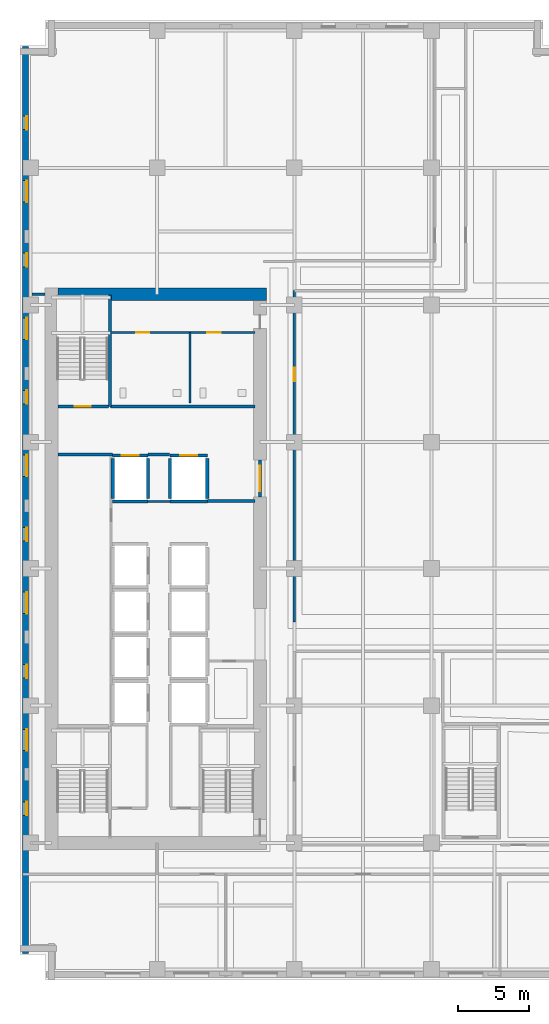
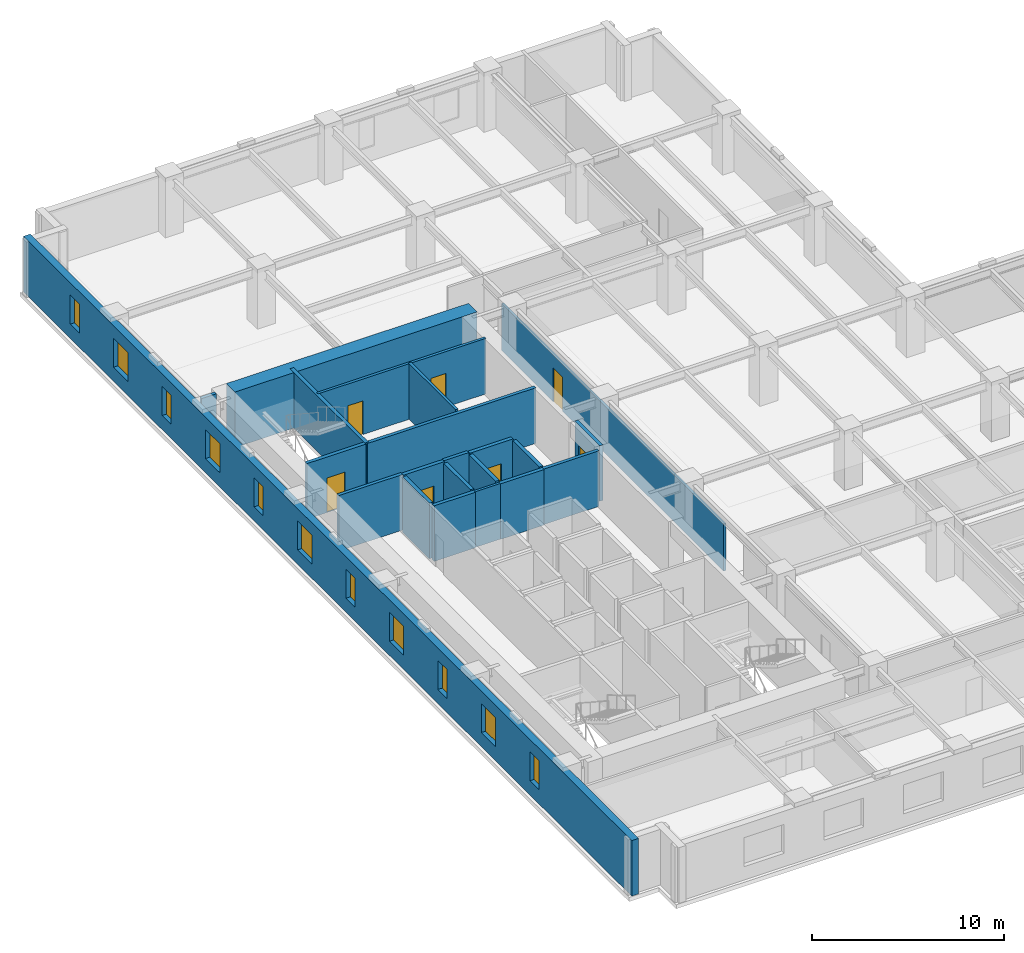
# One storey, part 6 of 13: 22 walls, 11 windows, 7 doors, 18 openings.
"""IFC4 building model written with IfcOpenShell, lengths in metres."""

from ifc_helpers import new_model, si_unit, direction, frame, frame_2d, origin, place, context, subcontext, project, spatial, rectangle, extrude, material, layer, layer_set, type_object, element, fill, save


model = new_model("IFC4")

# Units and contexts
model_context = context("Model", 3, precision=1e-05, world=origin(), true_north=direction((0.0, 1.0)))
body_context = subcontext(model_context, "Body", "Model", "MODEL_VIEW")
ifc_project = project(units=[si_unit("LENGTHUNIT", "METRE"), si_unit("AREAUNIT", "SQUARE_METRE"), si_unit("VOLUMEUNIT", "CUBIC_METRE"), si_unit("PLANEANGLEUNIT", "RADIAN"), si_unit("MASSUNIT", "GRAM", prefix="KILO")], contexts=[model_context])

# Site, building, storey
site_placement = place(None, origin())
site = spatial("IfcSite", under=ifc_project, at=site_placement, CompositionType="ELEMENT")
building_placement = place(site_placement, origin())
building = spatial("IfcBuilding", under=site, at=building_placement, Name="Norrvale University Quadrangle", CompositionType="ELEMENT")
storey_placement = place(building_placement, frame((0.0, 0.0, 77.39990234375)))
storey = spatial("IfcBuildingStorey", under=building, at=storey_placement, Name="L19", CompositionType="ELEMENT", Elevation=77.39990234375)

# Wall, openings, windows
ifc_material_1 = material(Name="Buff Norman Clay Brick Masonry", Category="masonry")
ifc_layer_1 = layer(ifc_material_1, 0.419921875, Name="Buff Norman Clay Brick Masonry")
ifc_layer_set_1 = layer_set([ifc_layer_1], Name="Buff Norman Clay Brick Masonry")
wall_type_1 = type_object("IfcWallType", Name="Wall Buff Brick 420", PredefinedType="SOLIDWALL", material=ifc_layer_set_1)
wall_1_placement = place(storey_placement, frame((0.389892578125, 65.360107421875, 0.0), z_axis=(0.0, 0.0, 1.0), x_axis=(0.0, -1.0, 0.0)))
wall_1 = element("IfcWall", 1, at=wall_1_placement, inside=storey, type_object=wall_type_1, Name="Exterior Brick Facade Wall L19-14.1", PredefinedType="SOLIDWALL", context=body_context, shape_type="SweptSolid", body=[
    extrude(rectangle(XDim=63.52001953125, YDim=0.419921875, at=frame_2d((31.760009765625, 0.0))), origin(), (0.0, 0.0, 1.0), 3.5400390625),
])
opening_1_placement = place(wall_1_placement, frame((4.885009765625, 0.0, 0.89990234375)))
opening_1 = element("IfcOpeningElement", 2, at=opening_1_placement, cuts=wall_1, Name="Opening W04", PredefinedType="OPENING", context=body_context, shape_type="SweptSolid", body=[
    extrude(rectangle(XDim=0.949951171875, YDim=1.85009765625, at=frame_2d((0.47509765625, 0.925048828125))), frame((0.0, 0.221923828125, 0.0), z_axis=(0.0, -1.0, 0.0), x_axis=(1.0, 0.0, 0.0)), (0.0, 0.0, 1.0), 0.44384765625),
])
opening_2_placement = place(wall_1_placement, frame((9.409912109375, 0.0, 0.89990234375)))
opening_2 = element("IfcOpeningElement", 3, at=opening_2_placement, cuts=wall_1, Name="Opening W03", PredefinedType="OPENING", context=body_context, shape_type="SweptSolid", body=[
    extrude(rectangle(XDim=1.5, YDim=1.85009765625, at=frame_2d((0.75, 0.925048828125))), frame((0.0, 0.221923828125, 0.0), z_axis=(0.0, -1.0, 0.0), x_axis=(1.0, 0.0, 0.0)), (0.0, 0.0, 1.0), 0.44384765625),
])
opening_3_placement = place(wall_1_placement, frame((14.485107421875, 0.0, 0.89990234375)))
opening_3 = element("IfcOpeningElement", 4, at=opening_3_placement, cuts=wall_1, Name="Opening W04", PredefinedType="OPENING", context=body_context, shape_type="SweptSolid", body=[
    extrude(rectangle(XDim=0.949951171875, YDim=1.85009765625, at=frame_2d((0.47509765625, 0.925048828125))), frame((0.0, 0.221923828125, 0.0), z_axis=(0.0, -1.0, 0.0), x_axis=(1.0, 0.0, 0.0)), (0.0, 0.0, 1.0), 0.44384765625),
])
opening_4_placement = place(wall_1_placement, frame((19.010009765625, 0.0, 0.89990234375)))
opening_4 = element("IfcOpeningElement", 5, at=opening_4_placement, cuts=wall_1, Name="Opening W03", PredefinedType="OPENING", context=body_context, shape_type="SweptSolid", body=[
    extrude(rectangle(XDim=1.5, YDim=1.85009765625, at=frame_2d((0.75, 0.925048828125))), frame((0.0, 0.221923828125, 0.0), z_axis=(0.0, -1.0, 0.0), x_axis=(1.0, 0.0, 0.0)), (0.0, 0.0, 1.0), 0.44384765625),
])
opening_5_placement = place(wall_1_placement, frame((24.0849609375, 0.0, 0.89990234375)))
opening_5 = element("IfcOpeningElement", 6, at=opening_5_placement, cuts=wall_1, Name="Opening W04", PredefinedType="OPENING", context=body_context, shape_type="SweptSolid", body=[
    extrude(rectangle(XDim=0.949951171875, YDim=1.85009765625, at=frame_2d((0.47509765625, 0.925048828125))), frame((0.0, 0.221923828125, 0.0), z_axis=(0.0, -1.0, 0.0), x_axis=(1.0, 0.0, 0.0)), (0.0, 0.0, 1.0), 0.44384765625),
])
opening_6_placement = place(wall_1_placement, frame((28.610107421875, 0.0, 0.89990234375)))
opening_6 = element("IfcOpeningElement", 7, at=opening_6_placement, cuts=wall_1, Name="Opening W03", PredefinedType="OPENING", context=body_context, shape_type="SweptSolid", body=[
    extrude(rectangle(XDim=1.5, YDim=1.85009765625, at=frame_2d((0.75, 0.925048828125))), frame((0.0, 0.221923828125, 0.0), z_axis=(0.0, -1.0, 0.0), x_axis=(1.0, 0.0, 0.0)), (0.0, 0.0, 1.0), 0.44384765625),
])
opening_7_placement = place(wall_1_placement, frame((33.68505859375, 0.0, 0.89990234375)))
opening_7 = element("IfcOpeningElement", 8, at=opening_7_placement, cuts=wall_1, Name="Opening W04", PredefinedType="OPENING", context=body_context, shape_type="SweptSolid", body=[
    extrude(rectangle(XDim=0.949951171875, YDim=1.85009765625, at=frame_2d((0.47509765625, 0.925048828125))), frame((0.0, 0.221923828125, 0.0), z_axis=(0.0, -1.0, 0.0), x_axis=(1.0, 0.0, 0.0)), (0.0, 0.0, 1.0), 0.44384765625),
])
opening_8_placement = place(wall_1_placement, frame((38.2099609375, 0.0, 0.89990234375)))
opening_8 = element("IfcOpeningElement", 9, at=opening_8_placement, cuts=wall_1, Name="Opening W03", PredefinedType="OPENING", context=body_context, shape_type="SweptSolid", body=[
    extrude(rectangle(XDim=1.5, YDim=1.85009765625, at=frame_2d((0.75, 0.925048828125))), frame((0.0, 0.221923828125, 0.0), z_axis=(0.0, -1.0, 0.0), x_axis=(1.0, 0.0, 0.0)), (0.0, 0.0, 1.0), 0.44384765625),
])
opening_9_placement = place(wall_1_placement, frame((43.284912109375, 0.0, 0.89990234375)))
opening_9 = element("IfcOpeningElement", 10, at=opening_9_placement, cuts=wall_1, Name="Opening W04", PredefinedType="OPENING", context=body_context, shape_type="SweptSolid", body=[
    extrude(rectangle(XDim=0.949951171875, YDim=1.85009765625, at=frame_2d((0.47509765625, 0.925048828125))), frame((0.0, 0.221923828125, 0.0), z_axis=(0.0, -1.0, 0.0), x_axis=(1.0, 0.0, 0.0)), (0.0, 0.0, 1.0), 0.44384765625),
])
opening_10_placement = place(wall_1_placement, frame((47.81005859375, 0.0, 0.89990234375)))
opening_10 = element("IfcOpeningElement", 11, at=opening_10_placement, cuts=wall_1, Name="Opening W03", PredefinedType="OPENING", context=body_context, shape_type="SweptSolid", body=[
    extrude(rectangle(XDim=1.5, YDim=1.85009765625, at=frame_2d((0.75, 0.925048828125))), frame((0.0, 0.221923828125, 0.0), z_axis=(0.0, -1.0, 0.0), x_axis=(1.0, 0.0, 0.0)), (0.0, 0.0, 1.0), 0.44384765625),
])
opening_11_placement = place(wall_1_placement, frame((52.885009765625, 0.0, 0.89990234375)))
opening_11 = element("IfcOpeningElement", 12, at=opening_11_placement, cuts=wall_1, Name="Opening W04", PredefinedType="OPENING", context=body_context, shape_type="SweptSolid", body=[
    extrude(rectangle(XDim=0.949951171875, YDim=1.85009765625, at=frame_2d((0.47509765625, 0.925048828125))), frame((0.0, 0.221923828125, 0.0), z_axis=(0.0, -1.0, 0.0), x_axis=(1.0, 0.0, 0.0)), (0.0, 0.0, 1.0), 0.44384765625),
])
ifc_material_2 = material(Name="Triple Low-E Argon Glazing", Category="glass")
window_type_1 = type_object("IfcWindowType", Name="Window Narrow Pier 950x2300", PartitioningType="SINGLE_PANEL", PredefinedType="WINDOW", material=ifc_material_2)
window_1_placement = place(opening_1_placement, origin())
window_1 = element("IfcWindow", 13, at=window_1_placement, inside=storey, type_object=window_type_1, Name="Window Narrow Pier 950x2300 WIN-L19-E14-1-01", OverallHeight=1.85009765625, OverallWidth=0.949951171875, PartitioningType="SINGLE_PANEL", PredefinedType="WINDOW", context=body_context, shape_type="SweptSolid", body=[
    extrude(rectangle(XDim=0.949951171875, YDim=1.85009765625, at=frame_2d((0.47509765625, 0.925048828125))), frame((0.0, 0.110107421875, 0.0), z_axis=(0.0, -1.0, 0.0), x_axis=(1.0, 0.0, 0.0)), (0.0, 0.0, 1.0), 0.06005859375),
])
fill(opening_1, window_1)
window_2_placement = place(opening_3_placement, origin())
window_2 = element("IfcWindow", 14, at=window_2_placement, inside=storey, type_object=window_type_1, Name="Window Narrow Pier 950x2300 WIN-L19-E14-1-03", OverallHeight=1.85009765625, OverallWidth=0.949951171875, PartitioningType="SINGLE_PANEL", PredefinedType="WINDOW", context=body_context, shape_type="SweptSolid", body=[
    extrude(rectangle(XDim=0.949951171875, YDim=1.85009765625, at=frame_2d((0.47509765625, 0.925048828125))), frame((0.0, 0.110107421875, 0.0), z_axis=(0.0, -1.0, 0.0), x_axis=(1.0, 0.0, 0.0)), (0.0, 0.0, 1.0), 0.06005859375),
])
fill(opening_3, window_2)
window_3_placement = place(opening_5_placement, origin())
window_3 = element("IfcWindow", 15, at=window_3_placement, inside=storey, type_object=window_type_1, Name="Window Narrow Pier 950x2300 WIN-L19-E14-1-05", OverallHeight=1.85009765625, OverallWidth=0.949951171875, PartitioningType="SINGLE_PANEL", PredefinedType="WINDOW", context=body_context, shape_type="SweptSolid", body=[
    extrude(rectangle(XDim=0.949951171875, YDim=1.85009765625, at=frame_2d((0.47509765625, 0.925048828125))), frame((0.0, 0.110107421875, 0.0), z_axis=(0.0, -1.0, 0.0), x_axis=(1.0, 0.0, 0.0)), (0.0, 0.0, 1.0), 0.06005859375),
])
fill(opening_5, window_3)
window_4_placement = place(opening_7_placement, origin())
window_4 = element("IfcWindow", 16, at=window_4_placement, inside=storey, type_object=window_type_1, Name="Window Narrow Pier 950x2300 WIN-L19-E14-1-07", OverallHeight=1.85009765625, OverallWidth=0.949951171875, PartitioningType="SINGLE_PANEL", PredefinedType="WINDOW", context=body_context, shape_type="SweptSolid", body=[
    extrude(rectangle(XDim=0.949951171875, YDim=1.85009765625, at=frame_2d((0.47509765625, 0.925048828125))), frame((0.0, 0.110107421875, 0.0), z_axis=(0.0, -1.0, 0.0), x_axis=(1.0, 0.0, 0.0)), (0.0, 0.0, 1.0), 0.06005859375),
])
fill(opening_7, window_4)
window_5_placement = place(opening_9_placement, origin())
window_5 = element("IfcWindow", 17, at=window_5_placement, inside=storey, type_object=window_type_1, Name="Window Narrow Pier 950x2300 WIN-L19-E14-1-09", OverallHeight=1.85009765625, OverallWidth=0.949951171875, PartitioningType="SINGLE_PANEL", PredefinedType="WINDOW", context=body_context, shape_type="SweptSolid", body=[
    extrude(rectangle(XDim=0.949951171875, YDim=1.85009765625, at=frame_2d((0.47509765625, 0.925048828125))), frame((0.0, 0.110107421875, 0.0), z_axis=(0.0, -1.0, 0.0), x_axis=(1.0, 0.0, 0.0)), (0.0, 0.0, 1.0), 0.06005859375),
])
fill(opening_9, window_5)
window_6_placement = place(opening_11_placement, origin())
window_6 = element("IfcWindow", 18, at=window_6_placement, inside=storey, type_object=window_type_1, Name="Window Narrow Pier 950x2300 WIN-L19-E14-1-11", OverallHeight=1.85009765625, OverallWidth=0.949951171875, PartitioningType="SINGLE_PANEL", PredefinedType="WINDOW", context=body_context, shape_type="SweptSolid", body=[
    extrude(rectangle(XDim=0.949951171875, YDim=1.85009765625, at=frame_2d((0.47509765625, 0.925048828125))), frame((0.0, 0.110107421875, 0.0), z_axis=(0.0, -1.0, 0.0), x_axis=(1.0, 0.0, 0.0)), (0.0, 0.0, 1.0), 0.06005859375),
])
fill(opening_11, window_6)
window_type_2 = type_object("IfcWindowType", Name="Window Studio 1500x2300", PartitioningType="DOUBLE_PANEL_VERTICAL", PredefinedType="WINDOW", material=ifc_material_2)
window_7_placement = place(opening_2_placement, origin())
window_7 = element("IfcWindow", 19, at=window_7_placement, inside=storey, type_object=window_type_2, Name="Window Studio 1500x2300 WIN-L19-E14-1-02", OverallHeight=1.85009765625, OverallWidth=1.5, PartitioningType="DOUBLE_PANEL_VERTICAL", PredefinedType="WINDOW", context=body_context, shape_type="SweptSolid", body=[
    extrude(rectangle(XDim=1.5, YDim=1.85009765625, at=frame_2d((0.75, 0.925048828125))), frame((0.0, 0.110107421875, 0.0), z_axis=(0.0, -1.0, 0.0), x_axis=(1.0, 0.0, 0.0)), (0.0, 0.0, 1.0), 0.06005859375),
])
fill(opening_2, window_7)
window_8_placement = place(opening_4_placement, origin())
window_8 = element("IfcWindow", 20, at=window_8_placement, inside=storey, type_object=window_type_2, Name="Window Studio 1500x2300 WIN-L19-E14-1-04", OverallHeight=1.85009765625, OverallWidth=1.5, PartitioningType="DOUBLE_PANEL_VERTICAL", PredefinedType="WINDOW", context=body_context, shape_type="SweptSolid", body=[
    extrude(rectangle(XDim=1.5, YDim=1.85009765625, at=frame_2d((0.75, 0.925048828125))), frame((0.0, 0.110107421875, 0.0), z_axis=(0.0, -1.0, 0.0), x_axis=(1.0, 0.0, 0.0)), (0.0, 0.0, 1.0), 0.06005859375),
])
fill(opening_4, window_8)
window_9_placement = place(opening_6_placement, origin())
window_9 = element("IfcWindow", 21, at=window_9_placement, inside=storey, type_object=window_type_2, Name="Window Studio 1500x2300 WIN-L19-E14-1-06", OverallHeight=1.85009765625, OverallWidth=1.5, PartitioningType="DOUBLE_PANEL_VERTICAL", PredefinedType="WINDOW", context=body_context, shape_type="SweptSolid", body=[
    extrude(rectangle(XDim=1.5, YDim=1.85009765625, at=frame_2d((0.75, 0.925048828125))), frame((0.0, 0.110107421875, 0.0), z_axis=(0.0, -1.0, 0.0), x_axis=(1.0, 0.0, 0.0)), (0.0, 0.0, 1.0), 0.06005859375),
])
fill(opening_6, window_9)
window_10_placement = place(opening_8_placement, origin())
window_10 = element("IfcWindow", 22, at=window_10_placement, inside=storey, type_object=window_type_2, Name="Window Studio 1500x2300 WIN-L19-E14-1-08", OverallHeight=1.85009765625, OverallWidth=1.5, PartitioningType="DOUBLE_PANEL_VERTICAL", PredefinedType="WINDOW", context=body_context, shape_type="SweptSolid", body=[
    extrude(rectangle(XDim=1.5, YDim=1.85009765625, at=frame_2d((0.75, 0.925048828125))), frame((0.0, 0.110107421875, 0.0), z_axis=(0.0, -1.0, 0.0), x_axis=(1.0, 0.0, 0.0)), (0.0, 0.0, 1.0), 0.06005859375),
])
fill(opening_8, window_10)
window_11_placement = place(opening_10_placement, origin())
window_11 = element("IfcWindow", 23, at=window_11_placement, inside=storey, type_object=window_type_2, Name="Window Studio 1500x2300 WIN-L19-E14-1-10", OverallHeight=1.85009765625, OverallWidth=1.5, PartitioningType="DOUBLE_PANEL_VERTICAL", PredefinedType="WINDOW", context=body_context, shape_type="SweptSolid", body=[
    extrude(rectangle(XDim=1.5, YDim=1.85009765625, at=frame_2d((0.75, 0.925048828125))), frame((0.0, 0.110107421875, 0.0), z_axis=(0.0, -1.0, 0.0), x_axis=(1.0, 0.0, 0.0)), (0.0, 0.0, 1.0), 0.06005859375),
])
fill(opening_10, window_11)

# Walls
ifc_material_3 = material(Name="Concrete C80/95", Category="concrete")
ifc_layer_2 = layer(ifc_material_3, 0.89990234375, Name="Concrete C80/95")
ifc_layer_set_2 = layer_set([ifc_layer_2], Name="Concrete C80/95")
wall_type_2 = type_object("IfcWallType", Name="Wall Core 900", PredefinedType="SHEAR", material=ifc_layer_set_2)
wall_2_placement = place(storey_placement, frame((2.64990234375, 48.0, 0.0), z_axis=(0.0, 0.0, 1.0), x_axis=(1.0, 0.0, 0.0)))
element("IfcWall", 24, at=wall_2_placement, inside=storey, type_object=wall_type_2, Name="Tower Core Shear Wall L19-N", PredefinedType="SHEAR", context=body_context, shape_type="SweptSolid", body=[
    extrude(rectangle(XDim=14.60009765625, YDim=0.89990234375, at=frame_2d((7.300048828125, 0.0))), origin(), (0.0, 0.0, 1.0), 3.5400390625),
])
ifc_material_4 = material(Name="Fire-Rated Gypsum Stud Partition")
ifc_layer_3 = layer(ifc_material_4, 0.14990234375, Name="Fire-Rated Gypsum Stud Partition")
ifc_layer_set_3 = layer_set([ifc_layer_3], Name="Fire-Rated Gypsum Stud Partition")
wall_type_3 = type_object("IfcWallType", Name="Wall Gypsum Corridor 150", PredefinedType="PARTITIONING", material=ifc_layer_set_3)
wall_3_placement = place(storey_placement, frame((8.965087890625, 33.489990234375, 0.0), z_axis=(0.0, 0.0, 1.0), x_axis=(1.0, 0.0, 0.0)))
element("IfcWall", 25, at=wall_3_placement, inside=storey, type_object=wall_type_3, Name="Interior Partition WL-L19-LL3", PredefinedType="PARTITIONING", context=body_context, shape_type="SweptSolid", body=[
    extrude(rectangle(XDim=1.52001953125, YDim=0.14990234375, at=frame_2d((0.760009765625, 0.0))), origin(), (0.0, 0.0, 1.0), 3.5400390625),
])

# Wall, opening, door
wall_4_placement = place(storey_placement, frame((19.199951171875, 25.050048828125, 0.0), z_axis=(0.0, 0.0, 1.0), x_axis=(0.0, 1.0, 0.0)))
wall_4 = element("IfcWall", 26, at=wall_4_placement, inside=storey, type_object=wall_type_3, Name="Interior Partition WL-L19-MNECW", PredefinedType="PARTITIONING", context=body_context, shape_type="SweptSolid", body=[
    extrude(rectangle(XDim=23.199951171875, YDim=0.14990234375, at=frame_2d((11.60009765625, 0.0))), origin(), (0.0, 0.0, 1.0), 2.99609375),
])
opening_12_placement = place(wall_4_placement, frame((16.85009765625, 0.0, 0.0)))
opening_12 = element("IfcOpeningElement", 27, at=opening_12_placement, cuts=wall_4, Name="Opening D07", PredefinedType="OPENING", context=body_context, shape_type="SweptSolid", body=[
    extrude(rectangle(XDim=0.949951171875, YDim=2.14990234375, at=frame_2d((0.47509765625, 1.074951171875))), frame((0.0, 0.0869140625, 0.0), z_axis=(0.0, -1.0, 0.0), x_axis=(1.0, 0.0, 0.0)), (0.0, 0.0, 1.0), 0.173828125),
])
ifc_material_5 = material(Name="Solid-Core Maple Door", Category="wood")
door_type_1 = type_object("IfcDoorType", Name="Door Office 950x2150", OperationType="NOTDEFINED", PredefinedType="DOOR", material=ifc_material_5)
door_1_placement = place(opening_12_placement, origin())
door_1 = element("IfcDoor", 28, at=door_1_placement, inside=storey, type_object=door_type_1, Name="Door Office 950x2150 DR-L19-MNE01", OperationType="SINGLE_SWING_RIGHT", OverallHeight=2.14990234375, OverallWidth=0.949951171875, PredefinedType="DOOR", context=body_context, shape_type="SweptSolid", body=[
    extrude(rectangle(XDim=0.949951171875, YDim=2.14990234375, at=frame_2d((0.47509765625, 1.074951171875))), frame((0.0, 0.02490234375, 0.0), z_axis=(0.0, -1.0, 0.0), x_axis=(1.0, 0.0, 0.0)), (0.0, 0.0, 1.0), 0.050048828125),
])
fill(opening_12, door_1)

# Wall, openings, doors
ifc_material_6 = material(Name="Sanitary Chase Gypsum Partition")
ifc_layer_4 = layer(ifc_material_6, 0.1650390625, Name="Sanitary Chase Gypsum Partition")
ifc_layer_set_4 = layer_set([ifc_layer_4], Name="Sanitary Chase Gypsum Partition")
wall_type_4 = type_object("IfcWallType", Name="Wall Gypsum Sanitary 165", PredefinedType="PLUMBINGWALL", material=ifc_layer_set_4)
wall_5_placement = place(storey_placement, frame((6.320068359375, 45.320068359375, 0.0), z_axis=(0.0, 0.0, 1.0), x_axis=(1.0, 0.0, 0.0)))
wall_5 = element("IfcWall", 29, at=wall_5_placement, inside=storey, type_object=wall_type_4, Name="Interior Partition WL-L19-WCN", PredefinedType="PLUMBINGWALL", context=body_context, shape_type="SweptSolid", body=[
    extrude(rectangle(XDim=10.1298828125, YDim=0.1650390625, at=frame_2d((5.06494140625, 0.0))), origin(), (0.0, 0.0, 1.0), 3.5400390625),
])
opening_13_placement = place(wall_5_placement, frame((1.800048828125, 0.0, 0.0)))
opening_13 = element("IfcOpeningElement", 30, at=opening_13_placement, cuts=wall_5, Name="Opening D08", PredefinedType="OPENING", context=body_context, shape_type="SweptSolid", body=[
    extrude(rectangle(XDim=0.919921875, YDim=2.14990234375, at=frame_2d((0.4599609375, 1.074951171875))), frame((0.0, 0.094482421875, 0.0), z_axis=(0.0, -1.0, 0.0), x_axis=(1.0, 0.0, 0.0)), (0.0, 0.0, 1.0), 0.18896484375),
])
opening_14_placement = place(wall_5_placement, frame((6.800048828125, 0.0, 0.0)))
opening_14 = element("IfcOpeningElement", 31, at=opening_14_placement, cuts=wall_5, Name="Opening D08", PredefinedType="OPENING", context=body_context, shape_type="SweptSolid", body=[
    extrude(rectangle(XDim=0.919921875, YDim=2.14990234375, at=frame_2d((0.4599609375, 1.074951171875))), frame((0.0, 0.094482421875, 0.0), z_axis=(0.0, -1.0, 0.0), x_axis=(1.0, 0.0, 0.0)), (0.0, 0.0, 1.0), 0.18896484375),
])
ifc_material_7 = material(Name="Laminate Washroom Door", Category="wood")
door_type_2 = type_object("IfcDoorType", Name="Door Washroom 920x2150", OperationType="NOTDEFINED", PredefinedType="DOOR", material=ifc_material_7)
door_2_placement = place(opening_13_placement, origin())
door_2 = element("IfcDoor", 32, at=door_2_placement, inside=storey, type_object=door_type_2, Name="Door Washroom 920x2150 DR-L19-WC1", OperationType="SINGLE_SWING_LEFT", OverallHeight=2.14990234375, OverallWidth=0.919921875, PredefinedType="DOOR", context=body_context, shape_type="SweptSolid", body=[
    extrude(rectangle(XDim=0.919921875, YDim=2.14990234375, at=frame_2d((0.4599609375, 1.074951171875))), frame((0.0, 0.02490234375, 0.0), z_axis=(0.0, -1.0, 0.0), x_axis=(1.0, 0.0, 0.0)), (0.0, 0.0, 1.0), 0.050048828125),
])
fill(opening_13, door_2)
door_3_placement = place(opening_14_placement, origin())
door_3 = element("IfcDoor", 33, at=door_3_placement, inside=storey, type_object=door_type_2, Name="Door Washroom 920x2150 DR-L19-WC2", OperationType="SINGLE_SWING_RIGHT", OverallHeight=2.14990234375, OverallWidth=0.919921875, PredefinedType="DOOR", context=body_context, shape_type="SweptSolid", body=[
    extrude(rectangle(XDim=0.919921875, YDim=2.14990234375, at=frame_2d((0.4599609375, 1.074951171875))), frame((0.0, 0.02490234375, 0.0), z_axis=(0.0, -1.0, 0.0), x_axis=(1.0, 0.0, 0.0)), (0.0, 0.0, 1.0), 0.050048828125),
])
fill(opening_14, door_3)

# Walls
wall_6_placement = place(storey_placement, frame((11.89990234375, 40.39990234375, 0.0), z_axis=(0.0, 0.0, 1.0), x_axis=(0.0, 1.0, 0.0)))
element("IfcWall", 34, at=wall_6_placement, inside=storey, type_object=wall_type_4, Name="Interior Partition WL-L19-WCM1", PredefinedType="PLUMBINGWALL", context=body_context, shape_type="SweptSolid", body=[
    extrude(rectangle(XDim=4.920166015625, YDim=0.1650390625, at=frame_2d((2.4599609375, 0.0))), origin(), (0.0, 0.0, 1.0), 3.5400390625),
])
ifc_material_8 = material(Name="Concrete Blockwork 20 MPa Rated Wall", Category="masonry")
ifc_layer_5 = layer(ifc_material_8, 0.199951171875, Name="Concrete Blockwork 20 MPa Rated Wall")
ifc_layer_set_5 = layer_set([ifc_layer_5], Name="Concrete Blockwork 20 MPa Rated Wall")
wall_type_5 = type_object("IfcWallType", Name="Wall Lobby 200", PredefinedType="SOLIDWALL", material=ifc_layer_set_5)
wall_7_placement = place(storey_placement, frame((2.64990234375, 36.780029296875, 0.0), z_axis=(0.0, 0.0, 1.0), x_axis=(1.0, 0.0, 0.0)))
element("IfcWall", 35, at=wall_7_placement, inside=storey, type_object=wall_type_5, Name="Interior Partition WL-L19-FF1", PredefinedType="SOLIDWALL", context=body_context, shape_type="SweptSolid", body=[
    extrude(rectangle(XDim=3.830078125, YDim=0.199951171875, at=frame_2d((1.9150390625, 0.0))), origin(), (0.0, 0.0, 1.0), 3.5400390625),
])
wall_8_placement = place(storey_placement, frame((8.969970703125, 36.780029296875, 0.0), z_axis=(0.0, 0.0, 1.0), x_axis=(1.0, 0.0, 0.0)))
element("IfcWall", 36, at=wall_8_placement, inside=storey, type_object=wall_type_5, Name="Interior Partition WL-L19-FF2", PredefinedType="SOLIDWALL", context=body_context, shape_type="SweptSolid", body=[
    extrude(rectangle(XDim=1.510009765625, YDim=0.199951171875, at=frame_2d((0.7548828125, 0.0))), origin(), (0.0, 0.0, 1.0), 3.5400390625),
])
wall_9_placement = place(storey_placement, frame((13.1201171875, 33.52001953125, 0.0), z_axis=(0.0, 0.0, 1.0), x_axis=(1.0, 0.0, 0.0)))
element("IfcWall", 37, at=wall_9_placement, inside=storey, type_object=wall_type_5, Name="Interior Partition WL-L19-FF3", PredefinedType="SOLIDWALL", context=body_context, shape_type="SweptSolid", body=[
    extrude(rectangle(XDim=3.329833984375, YDim=0.199951171875, at=frame_2d((1.6650390625, 0.0))), origin(), (0.0, 0.0, 1.0), 3.5400390625),
])
wall_10_placement = place(storey_placement, frame((6.320068359375, 40.139892578125, 0.0), z_axis=(0.0, 0.0, 1.0), x_axis=(1.0, 0.0, 0.0)))
element("IfcWall", 38, at=wall_10_placement, inside=storey, type_object=wall_type_5, Name="Interior Partition WL-L19-FF4", PredefinedType="SOLIDWALL", context=body_context, shape_type="SweptSolid", body=[
    extrude(rectangle(XDim=10.1298828125, YDim=0.199951171875, at=frame_2d((5.06494140625, 0.0))), origin(), (0.0, 0.0, 1.0), 3.5400390625),
])

# Wall, opening, door
wall_11_placement = place(storey_placement, frame((16.800048828125, 33.800048828125, 0.0), z_axis=(0.0, 0.0, 1.0), x_axis=(0.0, 1.0, 0.0)))
wall_11 = element("IfcWall", 39, at=wall_11_placement, inside=storey, type_object=wall_type_5, Name="Interior Partition WL-L19-FFP", PredefinedType="SOLIDWALL", context=body_context, shape_type="SweptSolid", body=[
    extrude(rectangle(XDim=2.599853515625, YDim=0.199951171875, at=frame_2d((1.2998046875, 0.0))), origin(), (0.0, 0.0, 1.0), 3.5400390625),
])
opening_15_placement = place(wall_11_placement, frame((0.39990234375, 0.0, 0.0)))
opening_15 = element("IfcOpeningElement", 40, at=opening_15_placement, cuts=wall_11, Name="Opening D03", PredefinedType="OPENING", context=body_context, shape_type="SweptSolid", body=[
    extrude(rectangle(XDim=1.800048828125, YDim=2.199951171875, at=frame_2d((0.89990234375, 1.10009765625))), frame((0.0, 0.112060546875, 0.0), z_axis=(0.0, -1.0, 0.0), x_axis=(1.0, 0.0, 0.0)), (0.0, 0.0, 1.0), 0.223876953125),
])
ifc_material_9 = material(Name="Hollow Steel 350W Fire Door", Category="steel")
door_type_3 = type_object("IfcDoorType", Name="Door Fire Lobby 1800x2200", OperationType="DOUBLE_DOOR_SINGLE_SWING", PredefinedType="DOOR", material=ifc_material_9)
door_4_placement = place(opening_15_placement, origin())
door_4 = element("IfcDoor", 41, at=door_4_placement, inside=storey, type_object=door_type_3, Name="Door Fire Lobby 1800x2200 DR-L19-FFP", OperationType="DOUBLE_DOOR_SINGLE_SWING", OverallHeight=2.199951171875, OverallWidth=1.800048828125, PredefinedType="DOOR", context=body_context, shape_type="SweptSolid", body=[
    extrude(rectangle(XDim=1.800048828125, YDim=2.199951171875, at=frame_2d((0.89990234375, 1.10009765625))), frame((0.0, 0.02490234375, 0.0), z_axis=(0.0, -1.0, 0.0), x_axis=(1.0, 0.0, 0.0)), (0.0, 0.0, 1.0), 0.050048828125),
])
fill(opening_15, door_4)

# Wall
wall_12_placement = place(storey_placement, frame((0.85009765625, 48.0, 0.0), z_axis=(0.0, 0.0, 1.0), x_axis=(1.0, 0.0, 0.0)))
element("IfcWall", 42, at=wall_12_placement, inside=storey, type_object=wall_type_5, Name="Interior Partition WL-L19-CWRET-N", PredefinedType="SOLIDWALL", context=body_context, shape_type="SweptSolid", body=[
    extrude(rectangle(XDim=0.89501953125, YDim=0.199951171875, at=frame_2d((0.447509765625, 0.0))), origin(), (0.0, 0.0, 1.0), 3.5400390625),
])

# Wall, opening, door
ifc_material_10 = material(Name="Concrete Blockwork 20 MPa Fire Shaft", Category="masonry")
ifc_layer_6 = layer(ifc_material_10, 0.219970703125, Name="Concrete Blockwork 20 MPa Fire Shaft")
ifc_layer_set_6 = layer_set([ifc_layer_6], Name="Concrete Blockwork 20 MPa Fire Shaft")
wall_type_6 = type_object("IfcWallType", Name="Wall Shaft 220", PredefinedType="SOLIDWALL", material=ifc_layer_set_6)
wall_13_placement = place(storey_placement, frame((2.64990234375, 40.139892578125, 0.0), z_axis=(0.0, 0.0, 1.0), x_axis=(1.0, 0.0, 0.0)))
wall_13 = element("IfcWall", 43, at=wall_13_placement, inside=storey, type_object=wall_type_6, Name="Stair ST-02 South Shaft Wall L19", PredefinedType="SOLIDWALL", context=body_context, shape_type="SweptSolid", body=[
    extrude(rectangle(XDim=3.550048828125, YDim=0.219970703125, at=frame_2d((1.77490234375, 0.0))), origin(), (0.0, 0.0, 1.0), 3.5400390625),
])
opening_16_placement = place(wall_13_placement, frame((1.199951171875, 0.0, 0.0)))
opening_16 = element("IfcOpeningElement", 44, at=opening_16_placement, cuts=wall_13, Name="Opening D02", PredefinedType="OPENING", context=body_context, shape_type="SweptSolid", body=[
    extrude(rectangle(XDim=1.10009765625, YDim=2.199951171875, at=frame_2d((0.550048828125, 1.10009765625))), frame((0.0, 0.1220703125, 0.0), z_axis=(0.0, -1.0, 0.0), x_axis=(1.0, 0.0, 0.0)), (0.0, 0.0, 1.0), 0.243896484375),
])
door_type_4 = type_object("IfcDoorType", Name="Door Stair Exit 1100x2200", OperationType="NOTDEFINED", PredefinedType="DOOR", material=ifc_material_9)
door_5_placement = place(opening_16_placement, origin())
door_5 = element("IfcDoor", 45, at=door_5_placement, inside=storey, type_object=door_type_4, Name="Door Stair Exit 1100x2200 DR-L19-ST02", OperationType="SINGLE_SWING_LEFT", OverallHeight=2.199951171875, OverallWidth=1.10009765625, PredefinedType="DOOR", context=body_context, shape_type="SweptSolid", body=[
    extrude(rectangle(XDim=1.10009765625, YDim=2.199951171875, at=frame_2d((0.550048828125, 1.10009765625))), frame((0.0, 0.02490234375, 0.0), z_axis=(0.0, -1.0, 0.0), x_axis=(1.0, 0.0, 0.0)), (0.0, 0.0, 1.0), 0.050048828125),
])
fill(opening_16, door_5)

# Walls
wall_14_placement = place(storey_placement, frame((6.31005859375, 40.139892578125, 0.0), z_axis=(0.0, 0.0, 1.0), x_axis=(0.0, 1.0, 0.0)))
element("IfcWall", 46, at=wall_14_placement, inside=storey, type_object=wall_type_6, Name="Stair ST-02 East Shaft Wall L19", PredefinedType="SOLIDWALL", context=body_context, shape_type="SweptSolid", body=[
    extrude(rectangle(XDim=7.81005859375, YDim=0.219970703125, at=frame_2d((3.905029296875, 0.0))), origin(), (0.0, 0.0, 1.0), 3.5400390625),
])
for number, where, z_axis, x_axis, name in (
    (47, (6.489990234375, 33.7099609375, 0.0), (0.0, 0.0, 1.0), (0.0, 1.0, 0.0), "Hoistway FFL-01 West Wall L19"),
    (48, (8.9599609375, 33.7099609375, 0.0), (0.0, 0.0, 1.0), (0.0, 1.0, 0.0), "Hoistway FFL-01 East Wall L19"),
):
    element("IfcWall", number, at=place(storey_placement, frame(where, z_axis=z_axis, x_axis=x_axis)), inside=storey, type_object=wall_type_6, Name=name, PredefinedType="SOLIDWALL", context=body_context, shape_type="SweptSolid", body=[
        extrude(rectangle(XDim=2.780029296875, YDim=0.219970703125, at=frame_2d((1.39013671875, 0.0))), origin(), (0.0, 0.0, 1.0), 3.5400390625),
    ])
wall_15_placement = place(storey_placement, frame((6.489990234375, 33.489990234375, 0.0), z_axis=(0.0, 0.0, 1.0), x_axis=(1.0, 0.0, 0.0)))
element("IfcWall", 49, at=wall_15_placement, inside=storey, type_object=wall_type_6, Name="Hoistway FFL-01 South Wall L19", PredefinedType="SOLIDWALL", context=body_context, shape_type="SweptSolid", body=[
    extrude(rectangle(XDim=2.469970703125, YDim=0.219970703125, at=frame_2d((1.23486328125, 0.0))), origin(), (0.0, 0.0, 1.0), 3.5400390625),
])

# Wall, opening, door
wall_16_placement = place(storey_placement, frame((6.489990234375, 36.7099609375, 0.0), z_axis=(0.0, 0.0, 1.0), x_axis=(1.0, 0.0, 0.0)))
wall_16 = element("IfcWall", 50, at=wall_16_placement, inside=storey, type_object=wall_type_6, Name="Hoistway FFL-01 North Wall L19", PredefinedType="SOLIDWALL", context=body_context, shape_type="SweptSolid", body=[
    extrude(rectangle(XDim=2.469970703125, YDim=0.219970703125, at=frame_2d((1.23486328125, 0.0))), origin(), (0.0, 0.0, 1.0), 3.5400390625),
])
opening_17_placement = place(wall_16_placement, frame((0.635009765625, 0.0, 0.0)))
opening_17 = element("IfcOpeningElement", 51, at=opening_17_placement, cuts=wall_16, Name="Opening LD2", PredefinedType="OPENING", context=body_context, shape_type="SweptSolid", body=[
    extrude(rectangle(XDim=1.199951171875, YDim=2.199951171875, at=frame_2d((0.60009765625, 1.10009765625))), frame((0.0, 0.1220703125, 0.0), z_axis=(0.0, -1.0, 0.0), x_axis=(1.0, 0.0, 0.0)), (0.0, 0.0, 1.0), 0.243896484375),
])
ifc_material_11 = material(Name="Stainless Steel 316L Firefighter Lift Door", Category="steel")
door_type_5 = type_object("IfcDoorType", Name="Door Fire Lift 1200x2200", OperationType="DOUBLE_DOOR_SLIDING", PredefinedType="DOOR", material=ifc_material_11)
door_6_placement = place(opening_17_placement, origin())
door_6 = element("IfcDoor", 52, at=door_6_placement, inside=storey, type_object=door_type_5, Name="Elevator Landing Door DR-L19-FFL-01", OperationType="DOUBLE_DOOR_SLIDING", OverallHeight=2.199951171875, OverallWidth=1.199951171875, PredefinedType="DOOR", context=body_context, shape_type="SweptSolid", body=[
    extrude(rectangle(XDim=1.199951171875, YDim=2.199951171875, at=frame_2d((0.60009765625, 1.10009765625))), frame((0.0, 0.02490234375, 0.0), z_axis=(0.0, -1.0, 0.0), x_axis=(1.0, 0.0, 0.0)), (0.0, 0.0, 1.0), 0.050048828125),
])
fill(opening_17, door_6)

# Walls
for number, where, z_axis, x_axis, name in (
    (53, (10.489990234375, 33.7099609375, 0.0), (0.0, 0.0, 1.0), (0.0, 1.0, 0.0), "Hoistway FFL-02 West Wall L19"),
    (54, (13.110107421875, 33.7099609375, 0.0), (0.0, 0.0, 1.0), (0.0, 1.0, 0.0), "Hoistway FFL-02 East Wall L19"),
):
    element("IfcWall", number, at=place(storey_placement, frame(where, z_axis=z_axis, x_axis=x_axis)), inside=storey, type_object=wall_type_6, Name=name, PredefinedType="SOLIDWALL", context=body_context, shape_type="SweptSolid", body=[
        extrude(rectangle(XDim=2.780029296875, YDim=0.219970703125, at=frame_2d((1.39013671875, 0.0))), origin(), (0.0, 0.0, 1.0), 3.5400390625),
    ])
wall_17_placement = place(storey_placement, frame((10.489990234375, 33.489990234375, 0.0), z_axis=(0.0, 0.0, 1.0), x_axis=(1.0, 0.0, 0.0)))
element("IfcWall", 55, at=wall_17_placement, inside=storey, type_object=wall_type_6, Name="Hoistway FFL-02 South Wall L19", PredefinedType="SOLIDWALL", context=body_context, shape_type="SweptSolid", body=[
    extrude(rectangle(XDim=2.6201171875, YDim=0.219970703125, at=frame_2d((1.31005859375, 0.0))), origin(), (0.0, 0.0, 1.0), 3.5400390625),
])

# Wall, opening, door
wall_18_placement = place(storey_placement, frame((10.489990234375, 36.7099609375, 0.0), z_axis=(0.0, 0.0, 1.0), x_axis=(1.0, 0.0, 0.0)))
wall_18 = element("IfcWall", 56, at=wall_18_placement, inside=storey, type_object=wall_type_6, Name="Hoistway FFL-02 North Wall L19", PredefinedType="SOLIDWALL", context=body_context, shape_type="SweptSolid", body=[
    extrude(rectangle(XDim=2.6201171875, YDim=0.219970703125, at=frame_2d((1.31005859375, 0.0))), origin(), (0.0, 0.0, 1.0), 3.5400390625),
])
opening_18_placement = place(wall_18_placement, frame((0.7099609375, 0.0, 0.0)))
opening_18 = element("IfcOpeningElement", 57, at=opening_18_placement, cuts=wall_18, Name="Opening LD2", PredefinedType="OPENING", context=body_context, shape_type="SweptSolid", body=[
    extrude(rectangle(XDim=1.199951171875, YDim=2.199951171875, at=frame_2d((0.60009765625, 1.10009765625))), frame((0.0, 0.1220703125, 0.0), z_axis=(0.0, -1.0, 0.0), x_axis=(1.0, 0.0, 0.0)), (0.0, 0.0, 1.0), 0.243896484375),
])
door_7_placement = place(opening_18_placement, origin())
door_7 = element("IfcDoor", 58, at=door_7_placement, inside=storey, type_object=door_type_5, Name="Elevator Landing Door DR-L19-FFL-02", OperationType="DOUBLE_DOOR_SLIDING", OverallHeight=2.199951171875, OverallWidth=1.199951171875, PredefinedType="DOOR", context=body_context, shape_type="SweptSolid", body=[
    extrude(rectangle(XDim=1.199951171875, YDim=2.199951171875, at=frame_2d((0.60009765625, 1.10009765625))), frame((0.0, 0.02490234375, 0.0), z_axis=(0.0, -1.0, 0.0), x_axis=(1.0, 0.0, 0.0)), (0.0, 0.0, 1.0), 0.050048828125),
])
fill(opening_18, door_7)

save(model, "model.ifc")
